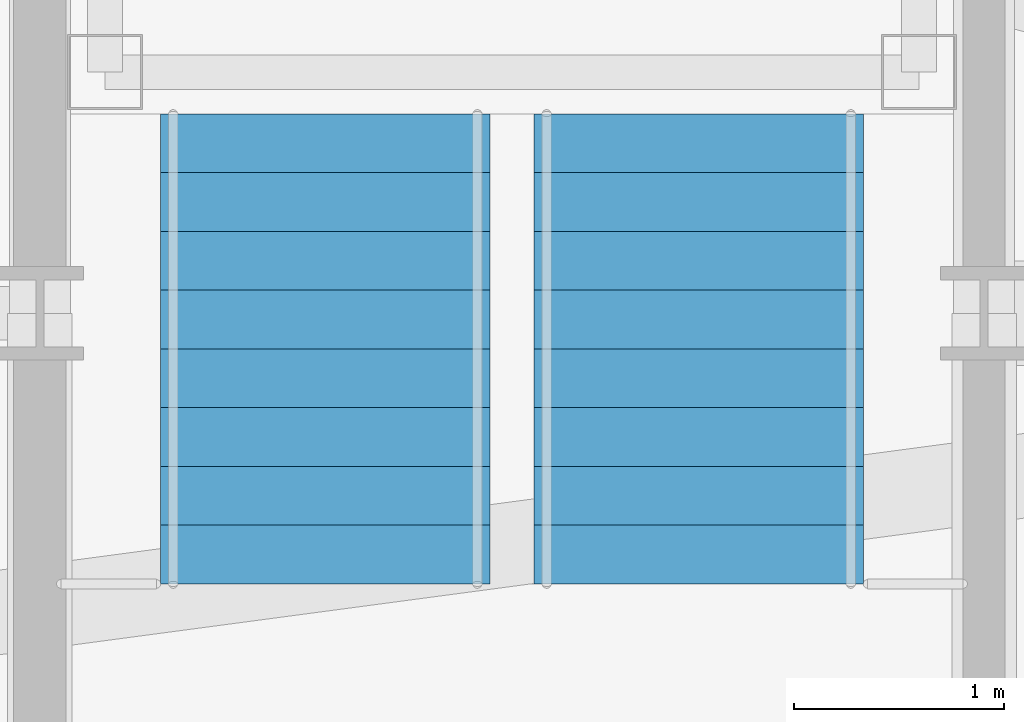
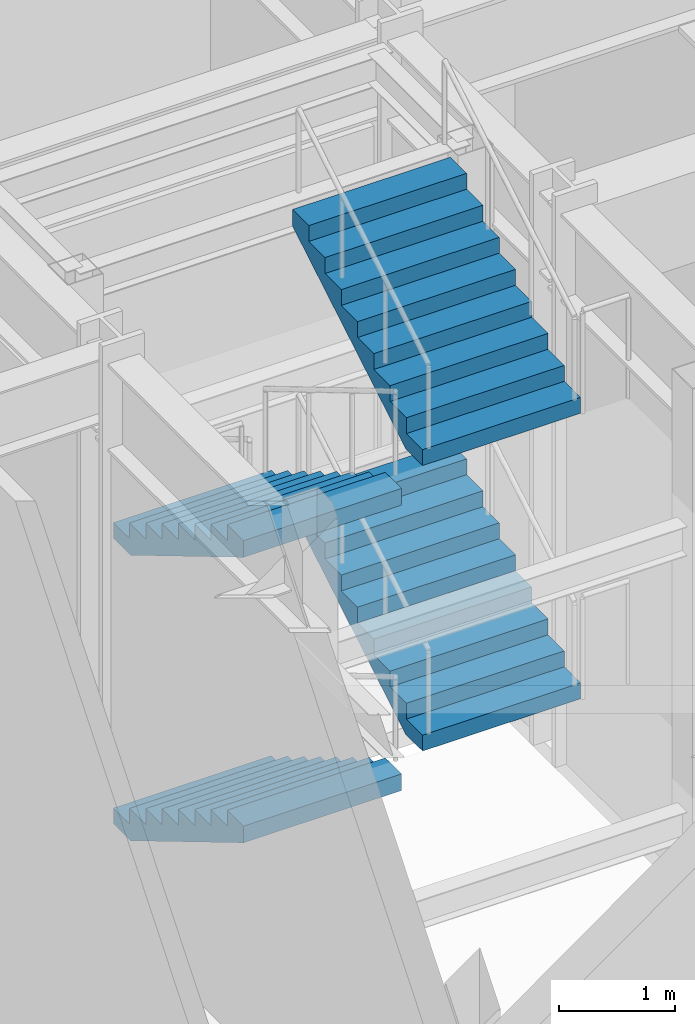
# One storey, part 21 of 30: 4 stair flights, 1 element without a shape of its own.
"""IFC4 building model written with IfcOpenShell, lengths in metres."""

from ifc_helpers import new_model, si_unit, direction, frame, origin, place, context, subcontext, project, spatial, faceted_brep, material, type_object, element, aggregate, save


model = new_model("IFC4")

# Units and contexts
model_context = context("Model", 3, precision=1e-05, world=origin(), true_north=direction((0.0, 1.0)))
body_context = subcontext(model_context, "Body", "Model", "MODEL_VIEW")
ifc_project = project(units=[si_unit("LENGTHUNIT", "METRE"), si_unit("AREAUNIT", "SQUARE_METRE"), si_unit("VOLUMEUNIT", "CUBIC_METRE"), si_unit("PLANEANGLEUNIT", "RADIAN"), si_unit("MASSUNIT", "GRAM", prefix="KILO")], contexts=[model_context])

# Site, building, storey
site_placement = place(None, origin())
site = spatial("IfcSite", under=ifc_project, at=site_placement, CompositionType="ELEMENT")
building_placement = place(site_placement, origin())
building = spatial("IfcBuilding", under=site, at=building_placement, Name="Chuquiago Exchange Tower", CompositionType="ELEMENT")
storey_placement = place(building_placement, frame((0.0, 0.0, 306.0)))
storey = spatial("IfcBuildingStorey", under=building, at=storey_placement, Name="L68", CompositionType="ELEMENT", Elevation=306.0)

# Stair, stair flights
ifc_material_1 = material(Name="Concrete C30/37, precast", Category="concrete")
stair_type = type_object("IfcStairType", Name="ST1 double half-turn stair 6000", PredefinedType="DOUBLE_RETURN_STAIR", material=ifc_material_1)
stair_placement = place(storey_placement, origin())
stair = element("IfcStair", 1, at=stair_placement, inside=storey, type_object=stair_type, Name="Stair ST1 L68", PredefinedType="DOUBLE_RETURN_STAIR")
ifc_material_2 = material(Name="Concrete C30/37, precast", Category="concrete")
stair_flight_type = type_object("IfcStairFlightType", Name="ST-F flight 1570 for 6000 storey", PredefinedType="STRAIGHT", material=ifc_material_2)
stair_flight_1_placement = place(storey_placement, frame((13.360107421875, 21.949951171875, 0.0), z_axis=(0.0, 0.0, 1.0), x_axis=(0.0, -1.0, 0.0)))
stair_flight_1 = element("IfcStairFlight", 2, at=stair_flight_1_placement, type_object=stair_flight_type, Name="ST1 flight 1", NumberOfRisers=9, NumberOfTreads=8, PredefinedType="STRAIGHT", RiserHeight=0.166666667, TreadLength=0.28, context=body_context, shape_type="Brep", body=[
    faceted_brep([(0.0, 0.78515625, 0.0), (0.0, 0.78515625, 0.166748046875), (0.280029296875, 0.78515625, 0.166748046875), (0.280029296875, 0.78515625, 0.333251953125), (0.56005859375, 0.78515625, 0.333251953125), (0.56005859375, 0.78515625, 0.5), (0.840087890625, 0.78515625, 0.5), (0.840087890625, 0.78515625, 0.666748046875), (1.1201171875, 0.78515625, 0.666748046875), (1.1201171875, 0.78515625, 0.833251953125), (1.39990234375, 0.78515625, 0.833251953125), (1.39990234375, 0.78515625, 1.0), (1.679931640625, 0.78515625, 1.0), (1.679931640625, 0.78515625, 1.166748046875), (1.9599609375, 0.78515625, 1.166748046875), (1.9599609375, 0.78515625, 1.333251953125), (2.239990234375, 0.78515625, 1.333251953125), (2.239990234375, 0.78515625, 1.158935546875), (0.29296875, 0.78515625, 0.0), (0.29296875, -0.78515625, 0.0), (2.239990234375, -0.78515625, 1.158935546875), (2.239990234375, -0.78515625, 1.333251953125), (1.9599609375, -0.78515625, 1.333251953125), (1.9599609375, -0.78515625, 1.166748046875), (1.679931640625, -0.78515625, 1.166748046875), (1.679931640625, -0.78515625, 1.0), (1.39990234375, -0.78515625, 1.0), (1.39990234375, -0.78515625, 0.833251953125), (1.1201171875, -0.78515625, 0.833251953125), (1.1201171875, -0.78515625, 0.666748046875), (0.840087890625, -0.78515625, 0.666748046875), (0.840087890625, -0.78515625, 0.5), (0.56005859375, -0.78515625, 0.5), (0.56005859375, -0.78515625, 0.333251953125), (0.280029296875, -0.78515625, 0.333251953125), (0.280029296875, -0.78515625, 0.166748046875), (0.0, -0.78515625, 0.166748046875), (0.0, -0.78515625, 0.0), (0.0, 0.392578125, 0.0), (0.0, 0.392578125, 0.166748046875), (0.0, 0.0, 0.0), (0.0, 0.0, 0.166748046875), (0.0, -0.392578125, 0.0), (0.0, -0.392578125, 0.166748046875), (0.280029296875, 0.392578125, 0.166748046875), (0.280029296875, 0.0, 0.166748046875), (0.280029296875, -0.392578125, 0.166748046875), (0.280029296875, 0.392578125, 0.333251953125), (0.280029296875, 0.0, 0.333251953125), (0.280029296875, -0.392578125, 0.333251953125), (0.56005859375, 0.392578125, 0.333251953125), (0.56005859375, 0.0, 0.333251953125), (0.56005859375, -0.392578125, 0.333251953125), (0.56005859375, 0.392578125, 0.5), (0.56005859375, 0.0, 0.5), (0.56005859375, -0.392578125, 0.5), (0.840087890625, 0.392578125, 0.5), (0.840087890625, 0.0, 0.5), (0.840087890625, -0.392578125, 0.5), (0.840087890625, 0.392578125, 0.666748046875), (0.840087890625, 0.0, 0.666748046875), (0.840087890625, -0.392578125, 0.666748046875), (1.1201171875, 0.392578125, 0.666748046875), (1.1201171875, 0.0, 0.666748046875), (1.1201171875, -0.392578125, 0.666748046875), (1.1201171875, 0.392578125, 0.833251953125), (1.1201171875, 0.0, 0.833251953125), (1.1201171875, -0.392578125, 0.833251953125), (1.39990234375, 0.392578125, 0.833251953125), (1.39990234375, 0.0, 0.833251953125), (1.39990234375, -0.392578125, 0.833251953125), (1.39990234375, 0.392578125, 1.0), (1.39990234375, 0.0, 1.0), (1.39990234375, -0.392578125, 1.0), (1.679931640625, 0.392578125, 1.0), (1.679931640625, 0.0, 1.0), (1.679931640625, -0.392578125, 1.0), (1.679931640625, 0.392578125, 1.166748046875), (1.679931640625, 0.0, 1.166748046875), (1.679931640625, -0.392578125, 1.166748046875), (1.9599609375, 0.392578125, 1.166748046875), (1.9599609375, 0.0, 1.166748046875), (1.9599609375, -0.392578125, 1.166748046875), (1.9599609375, 0.392578125, 1.333251953125), (1.9599609375, 0.0, 1.333251953125), (1.9599609375, -0.392578125, 1.333251953125), (2.239990234375, 0.392578125, 1.333251953125), (2.239990234375, 0.0, 1.333251953125), (2.239990234375, -0.392578125, 1.333251953125), (2.239990234375, 0.392578125, 1.158935546875), (2.239990234375, 0.0, 1.158935546875), (2.239990234375, -0.392578125, 1.158935546875), (0.29296875, 0.392578125, 0.0), (0.29296875, 0.0, 0.0), (0.29296875, -0.392578125, 0.0)], [[[0, 1, 2, 3, 4, 5, 6, 7, 8, 9, 10, 11, 12, 13, 14, 15, 16, 17, 18]], [[19, 20, 21, 22, 23, 24, 25, 26, 27, 28, 29, 30, 31, 32, 33, 34, 35, 36, 37]], [[1, 0, 38, 39]], [[39, 38, 40, 41]], [[41, 40, 42, 43]], [[43, 42, 37, 36]], [[2, 1, 39, 44]], [[44, 39, 41, 45]], [[45, 41, 43, 46]], [[46, 43, 36, 35]], [[3, 2, 44, 47]], [[47, 44, 45, 48]], [[48, 45, 46, 49]], [[49, 46, 35, 34]], [[4, 3, 47, 50]], [[50, 47, 48, 51]], [[51, 48, 49, 52]], [[52, 49, 34, 33]], [[5, 4, 50, 53]], [[53, 50, 51, 54]], [[54, 51, 52, 55]], [[55, 52, 33, 32]], [[6, 5, 53, 56]], [[56, 53, 54, 57]], [[57, 54, 55, 58]], [[58, 55, 32, 31]], [[7, 6, 56, 59]], [[59, 56, 57, 60]], [[60, 57, 58, 61]], [[61, 58, 31, 30]], [[8, 7, 59, 62]], [[62, 59, 60, 63]], [[63, 60, 61, 64]], [[64, 61, 30, 29]], [[9, 8, 62, 65]], [[65, 62, 63, 66]], [[66, 63, 64, 67]], [[67, 64, 29, 28]], [[10, 9, 65, 68]], [[68, 65, 66, 69]], [[69, 66, 67, 70]], [[70, 67, 28, 27]], [[11, 10, 68, 71]], [[71, 68, 69, 72]], [[72, 69, 70, 73]], [[73, 70, 27, 26]], [[12, 11, 71, 74]], [[74, 71, 72, 75]], [[75, 72, 73, 76]], [[76, 73, 26, 25]], [[13, 12, 74, 77]], [[77, 74, 75, 78]], [[78, 75, 76, 79]], [[79, 76, 25, 24]], [[14, 13, 77, 80]], [[80, 77, 78, 81]], [[81, 78, 79, 82]], [[82, 79, 24, 23]], [[15, 14, 80, 83]], [[83, 80, 81, 84]], [[84, 81, 82, 85]], [[85, 82, 23, 22]], [[16, 15, 83, 86]], [[86, 83, 84, 87]], [[87, 84, 85, 88]], [[88, 85, 22, 21]], [[17, 16, 86, 89]], [[89, 86, 87, 90]], [[90, 87, 88, 91]], [[91, 88, 21, 20]], [[18, 17, 89, 92]], [[92, 89, 90, 93]], [[93, 90, 91, 94]], [[94, 91, 20, 19]], [[0, 18, 92, 38]], [[38, 92, 93, 40]], [[40, 93, 94, 42]], [[42, 94, 19, 37]]]),
])
stair_flight_2_placement = place(storey_placement, frame((15.139892578125, 19.7099609375, 1.5), z_axis=(0.0, 0.0, 1.0), x_axis=(0.0, 1.0, 0.0)))
stair_flight_2 = element("IfcStairFlight", 3, at=stair_flight_2_placement, type_object=stair_flight_type, Name="ST1 flight 2", NumberOfRisers=9, NumberOfTreads=8, PredefinedType="STRAIGHT", RiserHeight=0.166666667, TreadLength=0.28, context=body_context, shape_type="Brep", body=[
    faceted_brep([(0.0, 0.78515625, 0.0), (0.0, 0.78515625, 0.166748046875), (0.280029296875, 0.78515625, 0.166748046875), (0.280029296875, 0.78515625, 0.333251953125), (0.56005859375, 0.78515625, 0.333251953125), (0.56005859375, 0.78515625, 0.5), (0.840087890625, 0.78515625, 0.5), (0.840087890625, 0.78515625, 0.666748046875), (1.1201171875, 0.78515625, 0.666748046875), (1.1201171875, 0.78515625, 0.833251953125), (1.39990234375, 0.78515625, 0.833251953125), (1.39990234375, 0.78515625, 1.0), (1.679931640625, 0.78515625, 1.0), (1.679931640625, 0.78515625, 1.166748046875), (1.9599609375, 0.78515625, 1.166748046875), (1.9599609375, 0.78515625, 1.333251953125), (2.239990234375, 0.78515625, 1.333251953125), (2.239990234375, 0.78515625, 1.158935546875), (0.29296875, 0.78515625, 0.0), (0.29296875, -0.78515625, 0.0), (2.239990234375, -0.78515625, 1.158935546875), (2.239990234375, -0.78515625, 1.333251953125), (1.9599609375, -0.78515625, 1.333251953125), (1.9599609375, -0.78515625, 1.166748046875), (1.679931640625, -0.78515625, 1.166748046875), (1.679931640625, -0.78515625, 1.0), (1.39990234375, -0.78515625, 1.0), (1.39990234375, -0.78515625, 0.833251953125), (1.1201171875, -0.78515625, 0.833251953125), (1.1201171875, -0.78515625, 0.666748046875), (0.840087890625, -0.78515625, 0.666748046875), (0.840087890625, -0.78515625, 0.5), (0.56005859375, -0.78515625, 0.5), (0.56005859375, -0.78515625, 0.333251953125), (0.280029296875, -0.78515625, 0.333251953125), (0.280029296875, -0.78515625, 0.166748046875), (0.0, -0.78515625, 0.166748046875), (0.0, -0.78515625, 0.0), (0.0, 0.392578125, 0.0), (0.0, 0.392578125, 0.166748046875), (0.0, 0.0, 0.0), (0.0, 0.0, 0.166748046875), (0.0, -0.392578125, 0.0), (0.0, -0.392578125, 0.166748046875), (0.280029296875, 0.392578125, 0.166748046875), (0.280029296875, 0.0, 0.166748046875), (0.280029296875, -0.392578125, 0.166748046875), (0.280029296875, 0.392578125, 0.333251953125), (0.280029296875, 0.0, 0.333251953125), (0.280029296875, -0.392578125, 0.333251953125), (0.56005859375, 0.392578125, 0.333251953125), (0.56005859375, 0.0, 0.333251953125), (0.56005859375, -0.392578125, 0.333251953125), (0.56005859375, 0.392578125, 0.5), (0.56005859375, 0.0, 0.5), (0.56005859375, -0.392578125, 0.5), (0.840087890625, 0.392578125, 0.5), (0.840087890625, 0.0, 0.5), (0.840087890625, -0.392578125, 0.5), (0.840087890625, 0.392578125, 0.666748046875), (0.840087890625, 0.0, 0.666748046875), (0.840087890625, -0.392578125, 0.666748046875), (1.1201171875, 0.392578125, 0.666748046875), (1.1201171875, 0.0, 0.666748046875), (1.1201171875, -0.392578125, 0.666748046875), (1.1201171875, 0.392578125, 0.833251953125), (1.1201171875, 0.0, 0.833251953125), (1.1201171875, -0.392578125, 0.833251953125), (1.39990234375, 0.392578125, 0.833251953125), (1.39990234375, 0.0, 0.833251953125), (1.39990234375, -0.392578125, 0.833251953125), (1.39990234375, 0.392578125, 1.0), (1.39990234375, 0.0, 1.0), (1.39990234375, -0.392578125, 1.0), (1.679931640625, 0.392578125, 1.0), (1.679931640625, 0.0, 1.0), (1.679931640625, -0.392578125, 1.0), (1.679931640625, 0.392578125, 1.166748046875), (1.679931640625, 0.0, 1.166748046875), (1.679931640625, -0.392578125, 1.166748046875), (1.9599609375, 0.392578125, 1.166748046875), (1.9599609375, 0.0, 1.166748046875), (1.9599609375, -0.392578125, 1.166748046875), (1.9599609375, 0.392578125, 1.333251953125), (1.9599609375, 0.0, 1.333251953125), (1.9599609375, -0.392578125, 1.333251953125), (2.239990234375, 0.392578125, 1.333251953125), (2.239990234375, 0.0, 1.333251953125), (2.239990234375, -0.392578125, 1.333251953125), (2.239990234375, 0.392578125, 1.158935546875), (2.239990234375, 0.0, 1.158935546875), (2.239990234375, -0.392578125, 1.158935546875), (0.29296875, 0.392578125, 0.0), (0.29296875, 0.0, 0.0), (0.29296875, -0.392578125, 0.0)], [[[0, 1, 2, 3, 4, 5, 6, 7, 8, 9, 10, 11, 12, 13, 14, 15, 16, 17, 18]], [[19, 20, 21, 22, 23, 24, 25, 26, 27, 28, 29, 30, 31, 32, 33, 34, 35, 36, 37]], [[1, 0, 38, 39]], [[39, 38, 40, 41]], [[41, 40, 42, 43]], [[43, 42, 37, 36]], [[2, 1, 39, 44]], [[44, 39, 41, 45]], [[45, 41, 43, 46]], [[46, 43, 36, 35]], [[3, 2, 44, 47]], [[47, 44, 45, 48]], [[48, 45, 46, 49]], [[49, 46, 35, 34]], [[4, 3, 47, 50]], [[50, 47, 48, 51]], [[51, 48, 49, 52]], [[52, 49, 34, 33]], [[5, 4, 50, 53]], [[53, 50, 51, 54]], [[54, 51, 52, 55]], [[55, 52, 33, 32]], [[6, 5, 53, 56]], [[56, 53, 54, 57]], [[57, 54, 55, 58]], [[58, 55, 32, 31]], [[7, 6, 56, 59]], [[59, 56, 57, 60]], [[60, 57, 58, 61]], [[61, 58, 31, 30]], [[8, 7, 59, 62]], [[62, 59, 60, 63]], [[63, 60, 61, 64]], [[64, 61, 30, 29]], [[9, 8, 62, 65]], [[65, 62, 63, 66]], [[66, 63, 64, 67]], [[67, 64, 29, 28]], [[10, 9, 65, 68]], [[68, 65, 66, 69]], [[69, 66, 67, 70]], [[70, 67, 28, 27]], [[11, 10, 68, 71]], [[71, 68, 69, 72]], [[72, 69, 70, 73]], [[73, 70, 27, 26]], [[12, 11, 71, 74]], [[74, 71, 72, 75]], [[75, 72, 73, 76]], [[76, 73, 26, 25]], [[13, 12, 74, 77]], [[77, 74, 75, 78]], [[78, 75, 76, 79]], [[79, 76, 25, 24]], [[14, 13, 77, 80]], [[80, 77, 78, 81]], [[81, 78, 79, 82]], [[82, 79, 24, 23]], [[15, 14, 80, 83]], [[83, 80, 81, 84]], [[84, 81, 82, 85]], [[85, 82, 23, 22]], [[16, 15, 83, 86]], [[86, 83, 84, 87]], [[87, 84, 85, 88]], [[88, 85, 22, 21]], [[17, 16, 86, 89]], [[89, 86, 87, 90]], [[90, 87, 88, 91]], [[91, 88, 21, 20]], [[18, 17, 89, 92]], [[92, 89, 90, 93]], [[93, 90, 91, 94]], [[94, 91, 20, 19]], [[0, 18, 92, 38]], [[38, 92, 93, 40]], [[40, 93, 94, 42]], [[42, 94, 19, 37]]]),
])
stair_flight_3_placement = place(storey_placement, frame((13.360107421875, 21.949951171875, 3.0), z_axis=(0.0, 0.0, 1.0), x_axis=(0.0, -1.0, 0.0)))
stair_flight_3 = element("IfcStairFlight", 4, at=stair_flight_3_placement, type_object=stair_flight_type, Name="ST1 flight 3", NumberOfRisers=9, NumberOfTreads=8, PredefinedType="STRAIGHT", RiserHeight=0.166666667, TreadLength=0.28, context=body_context, shape_type="Brep", body=[
    faceted_brep([(0.0, 0.78515625, 0.0), (0.0, 0.78515625, 0.166748046875), (0.280029296875, 0.78515625, 0.166748046875), (0.280029296875, 0.78515625, 0.333251953125), (0.56005859375, 0.78515625, 0.333251953125), (0.56005859375, 0.78515625, 0.5), (0.840087890625, 0.78515625, 0.5), (0.840087890625, 0.78515625, 0.666748046875), (1.1201171875, 0.78515625, 0.666748046875), (1.1201171875, 0.78515625, 0.833251953125), (1.39990234375, 0.78515625, 0.833251953125), (1.39990234375, 0.78515625, 1.0), (1.679931640625, 0.78515625, 1.0), (1.679931640625, 0.78515625, 1.166748046875), (1.9599609375, 0.78515625, 1.166748046875), (1.9599609375, 0.78515625, 1.333251953125), (2.239990234375, 0.78515625, 1.333251953125), (2.239990234375, 0.78515625, 1.158935546875), (0.29296875, 0.78515625, 0.0), (0.29296875, -0.78515625, 0.0), (2.239990234375, -0.78515625, 1.158935546875), (2.239990234375, -0.78515625, 1.333251953125), (1.9599609375, -0.78515625, 1.333251953125), (1.9599609375, -0.78515625, 1.166748046875), (1.679931640625, -0.78515625, 1.166748046875), (1.679931640625, -0.78515625, 1.0), (1.39990234375, -0.78515625, 1.0), (1.39990234375, -0.78515625, 0.833251953125), (1.1201171875, -0.78515625, 0.833251953125), (1.1201171875, -0.78515625, 0.666748046875), (0.840087890625, -0.78515625, 0.666748046875), (0.840087890625, -0.78515625, 0.5), (0.56005859375, -0.78515625, 0.5), (0.56005859375, -0.78515625, 0.333251953125), (0.280029296875, -0.78515625, 0.333251953125), (0.280029296875, -0.78515625, 0.166748046875), (0.0, -0.78515625, 0.166748046875), (0.0, -0.78515625, 0.0), (0.0, 0.392578125, 0.0), (0.0, 0.392578125, 0.166748046875), (0.0, 0.0, 0.0), (0.0, 0.0, 0.166748046875), (0.0, -0.392578125, 0.0), (0.0, -0.392578125, 0.166748046875), (0.280029296875, 0.392578125, 0.166748046875), (0.280029296875, 0.0, 0.166748046875), (0.280029296875, -0.392578125, 0.166748046875), (0.280029296875, 0.392578125, 0.333251953125), (0.280029296875, 0.0, 0.333251953125), (0.280029296875, -0.392578125, 0.333251953125), (0.56005859375, 0.392578125, 0.333251953125), (0.56005859375, 0.0, 0.333251953125), (0.56005859375, -0.392578125, 0.333251953125), (0.56005859375, 0.392578125, 0.5), (0.56005859375, 0.0, 0.5), (0.56005859375, -0.392578125, 0.5), (0.840087890625, 0.392578125, 0.5), (0.840087890625, 0.0, 0.5), (0.840087890625, -0.392578125, 0.5), (0.840087890625, 0.392578125, 0.666748046875), (0.840087890625, 0.0, 0.666748046875), (0.840087890625, -0.392578125, 0.666748046875), (1.1201171875, 0.392578125, 0.666748046875), (1.1201171875, 0.0, 0.666748046875), (1.1201171875, -0.392578125, 0.666748046875), (1.1201171875, 0.392578125, 0.833251953125), (1.1201171875, 0.0, 0.833251953125), (1.1201171875, -0.392578125, 0.833251953125), (1.39990234375, 0.392578125, 0.833251953125), (1.39990234375, 0.0, 0.833251953125), (1.39990234375, -0.392578125, 0.833251953125), (1.39990234375, 0.392578125, 1.0), (1.39990234375, 0.0, 1.0), (1.39990234375, -0.392578125, 1.0), (1.679931640625, 0.392578125, 1.0), (1.679931640625, 0.0, 1.0), (1.679931640625, -0.392578125, 1.0), (1.679931640625, 0.392578125, 1.166748046875), (1.679931640625, 0.0, 1.166748046875), (1.679931640625, -0.392578125, 1.166748046875), (1.9599609375, 0.392578125, 1.166748046875), (1.9599609375, 0.0, 1.166748046875), (1.9599609375, -0.392578125, 1.166748046875), (1.9599609375, 0.392578125, 1.333251953125), (1.9599609375, 0.0, 1.333251953125), (1.9599609375, -0.392578125, 1.333251953125), (2.239990234375, 0.392578125, 1.333251953125), (2.239990234375, 0.0, 1.333251953125), (2.239990234375, -0.392578125, 1.333251953125), (2.239990234375, 0.392578125, 1.158935546875), (2.239990234375, 0.0, 1.158935546875), (2.239990234375, -0.392578125, 1.158935546875), (0.29296875, 0.392578125, 0.0), (0.29296875, 0.0, 0.0), (0.29296875, -0.392578125, 0.0)], [[[0, 1, 2, 3, 4, 5, 6, 7, 8, 9, 10, 11, 12, 13, 14, 15, 16, 17, 18]], [[19, 20, 21, 22, 23, 24, 25, 26, 27, 28, 29, 30, 31, 32, 33, 34, 35, 36, 37]], [[1, 0, 38, 39]], [[39, 38, 40, 41]], [[41, 40, 42, 43]], [[43, 42, 37, 36]], [[2, 1, 39, 44]], [[44, 39, 41, 45]], [[45, 41, 43, 46]], [[46, 43, 36, 35]], [[3, 2, 44, 47]], [[47, 44, 45, 48]], [[48, 45, 46, 49]], [[49, 46, 35, 34]], [[4, 3, 47, 50]], [[50, 47, 48, 51]], [[51, 48, 49, 52]], [[52, 49, 34, 33]], [[5, 4, 50, 53]], [[53, 50, 51, 54]], [[54, 51, 52, 55]], [[55, 52, 33, 32]], [[6, 5, 53, 56]], [[56, 53, 54, 57]], [[57, 54, 55, 58]], [[58, 55, 32, 31]], [[7, 6, 56, 59]], [[59, 56, 57, 60]], [[60, 57, 58, 61]], [[61, 58, 31, 30]], [[8, 7, 59, 62]], [[62, 59, 60, 63]], [[63, 60, 61, 64]], [[64, 61, 30, 29]], [[9, 8, 62, 65]], [[65, 62, 63, 66]], [[66, 63, 64, 67]], [[67, 64, 29, 28]], [[10, 9, 65, 68]], [[68, 65, 66, 69]], [[69, 66, 67, 70]], [[70, 67, 28, 27]], [[11, 10, 68, 71]], [[71, 68, 69, 72]], [[72, 69, 70, 73]], [[73, 70, 27, 26]], [[12, 11, 71, 74]], [[74, 71, 72, 75]], [[75, 72, 73, 76]], [[76, 73, 26, 25]], [[13, 12, 74, 77]], [[77, 74, 75, 78]], [[78, 75, 76, 79]], [[79, 76, 25, 24]], [[14, 13, 77, 80]], [[80, 77, 78, 81]], [[81, 78, 79, 82]], [[82, 79, 24, 23]], [[15, 14, 80, 83]], [[83, 80, 81, 84]], [[84, 81, 82, 85]], [[85, 82, 23, 22]], [[16, 15, 83, 86]], [[86, 83, 84, 87]], [[87, 84, 85, 88]], [[88, 85, 22, 21]], [[17, 16, 86, 89]], [[89, 86, 87, 90]], [[90, 87, 88, 91]], [[91, 88, 21, 20]], [[18, 17, 89, 92]], [[92, 89, 90, 93]], [[93, 90, 91, 94]], [[94, 91, 20, 19]], [[0, 18, 92, 38]], [[38, 92, 93, 40]], [[40, 93, 94, 42]], [[42, 94, 19, 37]]]),
])
stair_flight_4_placement = place(storey_placement, frame((15.139892578125, 19.7099609375, 4.5), z_axis=(0.0, 0.0, 1.0), x_axis=(0.0, 1.0, 0.0)))
stair_flight_4 = element("IfcStairFlight", 5, at=stair_flight_4_placement, type_object=stair_flight_type, Name="ST1 flight 4", NumberOfRisers=9, NumberOfTreads=8, PredefinedType="STRAIGHT", RiserHeight=0.166666667, TreadLength=0.28, context=body_context, shape_type="Brep", body=[
    faceted_brep([(0.0, 0.78515625, 0.0), (0.0, 0.78515625, 0.166748046875), (0.280029296875, 0.78515625, 0.166748046875), (0.280029296875, 0.78515625, 0.333251953125), (0.56005859375, 0.78515625, 0.333251953125), (0.56005859375, 0.78515625, 0.5), (0.840087890625, 0.78515625, 0.5), (0.840087890625, 0.78515625, 0.666748046875), (1.1201171875, 0.78515625, 0.666748046875), (1.1201171875, 0.78515625, 0.833251953125), (1.39990234375, 0.78515625, 0.833251953125), (1.39990234375, 0.78515625, 1.0), (1.679931640625, 0.78515625, 1.0), (1.679931640625, 0.78515625, 1.166748046875), (1.9599609375, 0.78515625, 1.166748046875), (1.9599609375, 0.78515625, 1.333251953125), (2.239990234375, 0.78515625, 1.333251953125), (2.239990234375, 0.78515625, 1.158935546875), (0.29296875, 0.78515625, 0.0), (0.29296875, -0.78515625, 0.0), (2.239990234375, -0.78515625, 1.158935546875), (2.239990234375, -0.78515625, 1.333251953125), (1.9599609375, -0.78515625, 1.333251953125), (1.9599609375, -0.78515625, 1.166748046875), (1.679931640625, -0.78515625, 1.166748046875), (1.679931640625, -0.78515625, 1.0), (1.39990234375, -0.78515625, 1.0), (1.39990234375, -0.78515625, 0.833251953125), (1.1201171875, -0.78515625, 0.833251953125), (1.1201171875, -0.78515625, 0.666748046875), (0.840087890625, -0.78515625, 0.666748046875), (0.840087890625, -0.78515625, 0.5), (0.56005859375, -0.78515625, 0.5), (0.56005859375, -0.78515625, 0.333251953125), (0.280029296875, -0.78515625, 0.333251953125), (0.280029296875, -0.78515625, 0.166748046875), (0.0, -0.78515625, 0.166748046875), (0.0, -0.78515625, 0.0), (0.0, 0.392578125, 0.0), (0.0, 0.392578125, 0.166748046875), (0.0, 0.0, 0.0), (0.0, 0.0, 0.166748046875), (0.0, -0.392578125, 0.0), (0.0, -0.392578125, 0.166748046875), (0.280029296875, 0.392578125, 0.166748046875), (0.280029296875, 0.0, 0.166748046875), (0.280029296875, -0.392578125, 0.166748046875), (0.280029296875, 0.392578125, 0.333251953125), (0.280029296875, 0.0, 0.333251953125), (0.280029296875, -0.392578125, 0.333251953125), (0.56005859375, 0.392578125, 0.333251953125), (0.56005859375, 0.0, 0.333251953125), (0.56005859375, -0.392578125, 0.333251953125), (0.56005859375, 0.392578125, 0.5), (0.56005859375, 0.0, 0.5), (0.56005859375, -0.392578125, 0.5), (0.840087890625, 0.392578125, 0.5), (0.840087890625, 0.0, 0.5), (0.840087890625, -0.392578125, 0.5), (0.840087890625, 0.392578125, 0.666748046875), (0.840087890625, 0.0, 0.666748046875), (0.840087890625, -0.392578125, 0.666748046875), (1.1201171875, 0.392578125, 0.666748046875), (1.1201171875, 0.0, 0.666748046875), (1.1201171875, -0.392578125, 0.666748046875), (1.1201171875, 0.392578125, 0.833251953125), (1.1201171875, 0.0, 0.833251953125), (1.1201171875, -0.392578125, 0.833251953125), (1.39990234375, 0.392578125, 0.833251953125), (1.39990234375, 0.0, 0.833251953125), (1.39990234375, -0.392578125, 0.833251953125), (1.39990234375, 0.392578125, 1.0), (1.39990234375, 0.0, 1.0), (1.39990234375, -0.392578125, 1.0), (1.679931640625, 0.392578125, 1.0), (1.679931640625, 0.0, 1.0), (1.679931640625, -0.392578125, 1.0), (1.679931640625, 0.392578125, 1.166748046875), (1.679931640625, 0.0, 1.166748046875), (1.679931640625, -0.392578125, 1.166748046875), (1.9599609375, 0.392578125, 1.166748046875), (1.9599609375, 0.0, 1.166748046875), (1.9599609375, -0.392578125, 1.166748046875), (1.9599609375, 0.392578125, 1.333251953125), (1.9599609375, 0.0, 1.333251953125), (1.9599609375, -0.392578125, 1.333251953125), (2.239990234375, 0.392578125, 1.333251953125), (2.239990234375, 0.0, 1.333251953125), (2.239990234375, -0.392578125, 1.333251953125), (2.239990234375, 0.392578125, 1.158935546875), (2.239990234375, 0.0, 1.158935546875), (2.239990234375, -0.392578125, 1.158935546875), (0.29296875, 0.392578125, 0.0), (0.29296875, 0.0, 0.0), (0.29296875, -0.392578125, 0.0)], [[[0, 1, 2, 3, 4, 5, 6, 7, 8, 9, 10, 11, 12, 13, 14, 15, 16, 17, 18]], [[19, 20, 21, 22, 23, 24, 25, 26, 27, 28, 29, 30, 31, 32, 33, 34, 35, 36, 37]], [[1, 0, 38, 39]], [[39, 38, 40, 41]], [[41, 40, 42, 43]], [[43, 42, 37, 36]], [[2, 1, 39, 44]], [[44, 39, 41, 45]], [[45, 41, 43, 46]], [[46, 43, 36, 35]], [[3, 2, 44, 47]], [[47, 44, 45, 48]], [[48, 45, 46, 49]], [[49, 46, 35, 34]], [[4, 3, 47, 50]], [[50, 47, 48, 51]], [[51, 48, 49, 52]], [[52, 49, 34, 33]], [[5, 4, 50, 53]], [[53, 50, 51, 54]], [[54, 51, 52, 55]], [[55, 52, 33, 32]], [[6, 5, 53, 56]], [[56, 53, 54, 57]], [[57, 54, 55, 58]], [[58, 55, 32, 31]], [[7, 6, 56, 59]], [[59, 56, 57, 60]], [[60, 57, 58, 61]], [[61, 58, 31, 30]], [[8, 7, 59, 62]], [[62, 59, 60, 63]], [[63, 60, 61, 64]], [[64, 61, 30, 29]], [[9, 8, 62, 65]], [[65, 62, 63, 66]], [[66, 63, 64, 67]], [[67, 64, 29, 28]], [[10, 9, 65, 68]], [[68, 65, 66, 69]], [[69, 66, 67, 70]], [[70, 67, 28, 27]], [[11, 10, 68, 71]], [[71, 68, 69, 72]], [[72, 69, 70, 73]], [[73, 70, 27, 26]], [[12, 11, 71, 74]], [[74, 71, 72, 75]], [[75, 72, 73, 76]], [[76, 73, 26, 25]], [[13, 12, 74, 77]], [[77, 74, 75, 78]], [[78, 75, 76, 79]], [[79, 76, 25, 24]], [[14, 13, 77, 80]], [[80, 77, 78, 81]], [[81, 78, 79, 82]], [[82, 79, 24, 23]], [[15, 14, 80, 83]], [[83, 80, 81, 84]], [[84, 81, 82, 85]], [[85, 82, 23, 22]], [[16, 15, 83, 86]], [[86, 83, 84, 87]], [[87, 84, 85, 88]], [[88, 85, 22, 21]], [[17, 16, 86, 89]], [[89, 86, 87, 90]], [[90, 87, 88, 91]], [[91, 88, 21, 20]], [[18, 17, 89, 92]], [[92, 89, 90, 93]], [[93, 90, 91, 94]], [[94, 91, 20, 19]], [[0, 18, 92, 38]], [[38, 92, 93, 40]], [[40, 93, 94, 42]], [[42, 94, 19, 37]]]),
])
aggregate(stair, [stair_flight_1, stair_flight_2, stair_flight_3, stair_flight_4])

save(model, "model.ifc")
